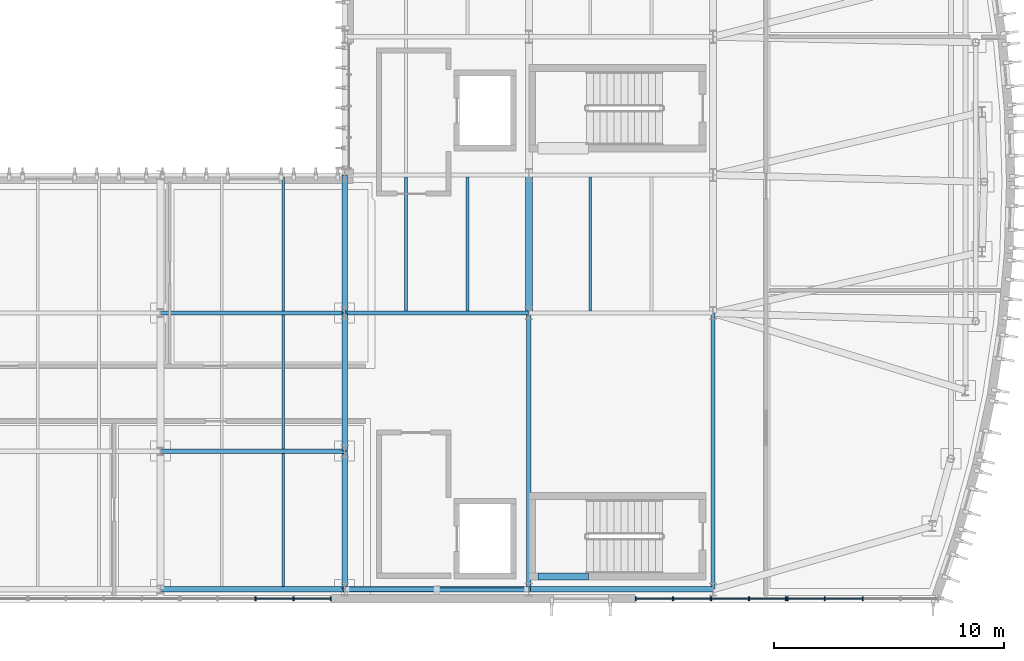
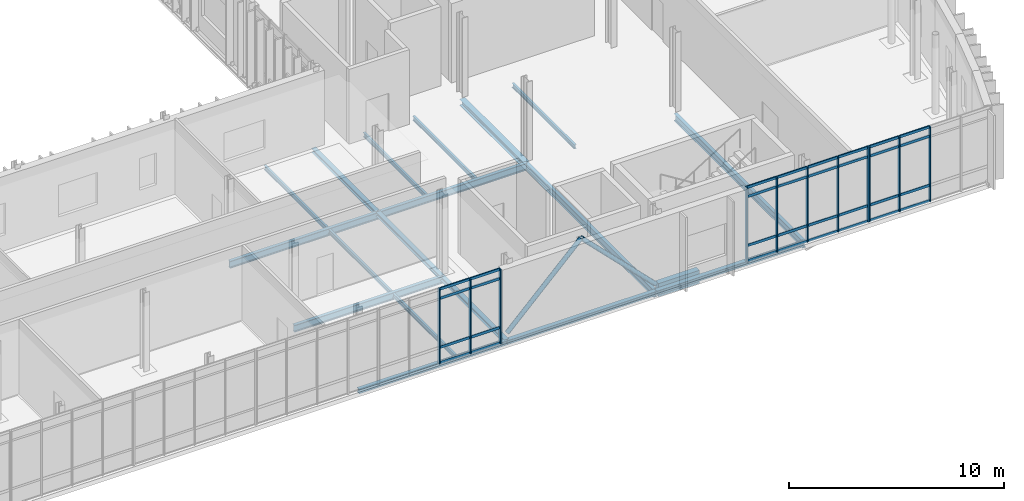
# One storey, part 38 of 86: 45 members, 19 beams, 3 elements without a shape of their own.
"""IFC4 building model written with IfcOpenShell, lengths in metres."""

from ifc_helpers import new_model, si_unit, direction, frame, origin, origin_2d, place, context, subcontext, project, spatial, rectangle, hollow_circle, i_section, extrude, material, material_profile, profile_set, type_object, element, aggregate, save


model = new_model("IFC4")

# Units and contexts
model_context = context("Model", 3, precision=1e-05, world=origin(), true_north=direction((0.0, 1.0)))
body_context = subcontext(model_context, "Body", "Model", "MODEL_VIEW")
ifc_project = project(units=[si_unit("LENGTHUNIT", "METRE"), si_unit("AREAUNIT", "SQUARE_METRE"), si_unit("VOLUMEUNIT", "CUBIC_METRE"), si_unit("PLANEANGLEUNIT", "RADIAN"), si_unit("MASSUNIT", "GRAM", prefix="KILO")], contexts=[model_context])

# Site, building, storey
site_placement = place(None, origin())
site = spatial("IfcSite", under=ifc_project, at=site_placement, CompositionType="ELEMENT")
building_placement = place(site_placement, origin())
building = spatial("IfcBuilding", under=site, at=building_placement, Name="Cymarion Research Institute", CompositionType="ELEMENT")
storey_placement = place(building_placement, frame((0.0, 0.0, 13.800048828125)))
storey = spatial("IfcBuildingStorey", under=building, at=storey_placement, Name="L03", CompositionType="ELEMENT", Elevation=13.800048828125)

# Beam
ifc_material_1 = material(Name="Concrete C40/50", Category="concrete")
ifc_material_profile_1 = material_profile(ifc_material_1, rectangle(XDim=0.300048828125, YDim=0.75, at=origin_2d()), Name="RC 300x750")
ifc_profile_set_1 = profile_set([ifc_material_profile_1], Name="Concrete C40/50")
beam_type_1 = type_object("IfcBeamType", Name="COUPLING LINTEL LN01 RC 300x750", PredefinedType="LINTEL", material=ifc_profile_set_1)
beam_1_placement = place(storey_placement, frame((147.0, 6.050048828125, -0.64501953125), z_axis=(1.0, 0.0, 0.0), x_axis=(0.0, 1.0, 0.0)))
element("IfcBeam", 1, at=beam_1_placement, inside=storey, type_object=beam_type_1, Name="L03 C1 core coupling lintel LN01", PredefinedType="LINTEL", context=body_context, shape_type="SweptSolid", body=[
    extrude(rectangle(XDim=0.300048828125, YDim=0.75, at=origin_2d()), origin(), (0.0, 0.0, 1.0), 2.199951171875),
])

# Curtain wall, members
ifc_material_2 = material(Name="Anodised aluminium unitised curtain wall with Low-E glazing", Category="aluminium")
curtain_wall_type = type_object("IfcCurtainWallType", Name="UNITISED CURTAIN WALL CW26 6590X4240", PredefinedType="NOTDEFINED", material=ifc_material_2)
curtain_wall_1_placement = place(storey_placement, origin())
curtain_wall_1 = element("IfcCurtainWall", 2, at=curtain_wall_1_placement, inside=storey, type_object=curtain_wall_type, Name="L03 V1 unitised curtain wall CW26 #123", PredefinedType="NOTDEFINED")
ifc_material_3 = material(Name="Anodised aluminium framing", Category="aluminium")
ifc_material_profile_2 = material_profile(ifc_material_3, rectangle(XDim=0.06005859375, YDim=0.179931640625, at=origin_2d()), Name="ALU MULLION 60x180")
ifc_profile_set_2 = profile_set([ifc_material_profile_2], Name="Anodised aluminium framing")
member_type_1 = type_object("IfcMemberType", Name="CURTAIN WALL MULLION ML01 60X180", PredefinedType="MULLION", material=ifc_profile_set_2)
member_1_placement = place(storey_placement, frame((134.73095703125, 5.090087890625, 0.0), z_axis=(0.0, 0.0, 1.0), x_axis=(1.0, 0.0, 0.0)))
member_1 = element("IfcMember", 3, at=member_1_placement, type_object=member_type_1, Name="CW26 mullion 3", PredefinedType="MULLION", context=body_context, shape_type="SweptSolid", body=[
    extrude(rectangle(XDim=0.06005859375, YDim=0.179931640625, at=origin_2d()), origin(), (0.0, 0.0, 1.0), 4.239990234375),
])
member_2_placement = place(storey_placement, frame((136.37939453125, 5.090087890625, 0.0), z_axis=(0.0, 0.0, 1.0), x_axis=(1.0, 0.0, 0.0)))
member_2 = element("IfcMember", 4, at=member_2_placement, type_object=member_type_1, Name="CW26 mullion 4", PredefinedType="MULLION", context=body_context, shape_type="SweptSolid", body=[
    extrude(rectangle(XDim=0.06005859375, YDim=0.179931640625, at=origin_2d()), origin(), (0.0, 0.0, 1.0), 4.239990234375),
])
member_3_placement = place(storey_placement, frame((137.99755859375, 5.090087890625, 0.0), z_axis=(0.0, 0.0, 1.0), x_axis=(1.0, 0.0, 0.0)))
member_3 = element("IfcMember", 5, at=member_3_placement, type_object=member_type_1, Name="CW26 mullion 5", PredefinedType="MULLION", context=body_context, shape_type="SweptSolid", body=[
    extrude(rectangle(XDim=0.06005859375, YDim=0.179931640625, at=origin_2d()), origin(), (0.0, 0.0, 1.0), 4.239990234375),
])

curtain_wall_2_placement = place(storey_placement, origin())
curtain_wall_2 = element("IfcCurtainWall", 6, at=curtain_wall_2_placement, inside=storey, type_object=curtain_wall_type, Name="L03 V1 unitised curtain wall CW26 #124", PredefinedType="NOTDEFINED")
member_4_placement = place(storey_placement, frame((151.243896484375, 5.090087890625, 0.0), z_axis=(0.0, 0.0, 1.0), x_axis=(1.0, 0.0, 0.0)))
member_4 = element("IfcMember", 7, at=member_4_placement, type_object=member_type_1, Name="CW26 mullion 1", PredefinedType="MULLION", context=body_context, shape_type="SweptSolid", body=[
    extrude(rectangle(XDim=0.06005859375, YDim=0.179931640625, at=origin_2d()), origin(), (0.0, 0.0, 1.0), 4.239990234375),
])
member_5_placement = place(storey_placement, frame((152.862060546875, 5.090087890625, 0.0), z_axis=(0.0, 0.0, 1.0), x_axis=(1.0, 0.0, 0.0)))
member_5 = element("IfcMember", 8, at=member_5_placement, type_object=member_type_1, Name="CW26 mullion 2", PredefinedType="MULLION", context=body_context, shape_type="SweptSolid", body=[
    extrude(rectangle(XDim=0.06005859375, YDim=0.179931640625, at=origin_2d()), origin(), (0.0, 0.0, 1.0), 4.239990234375),
])
member_6_placement = place(storey_placement, frame((154.51025390625, 5.090087890625, 0.0), z_axis=(0.0, 0.0, 1.0), x_axis=(1.0, 0.0, 0.0)))
member_6 = element("IfcMember", 9, at=member_6_placement, type_object=member_type_1, Name="CW26 mullion 3", PredefinedType="MULLION", context=body_context, shape_type="SweptSolid", body=[
    extrude(rectangle(XDim=0.06005859375, YDim=0.179931640625, at=origin_2d()), origin(), (0.0, 0.0, 1.0), 4.239990234375),
])
member_7_placement = place(storey_placement, frame((156.15869140625, 5.090087890625, 0.0), z_axis=(0.0, 0.0, 1.0), x_axis=(1.0, 0.0, 0.0)))
member_7 = element("IfcMember", 10, at=member_7_placement, type_object=member_type_1, Name="CW26 mullion 4", PredefinedType="MULLION", context=body_context, shape_type="SweptSolid", body=[
    extrude(rectangle(XDim=0.06005859375, YDim=0.179931640625, at=origin_2d()), origin(), (0.0, 0.0, 1.0), 4.239990234375),
])
member_8_placement = place(storey_placement, frame((157.77685546875, 5.090087890625, 0.0), z_axis=(0.0, 0.0, 1.0), x_axis=(1.0, 0.0, 0.0)))
member_8 = element("IfcMember", 11, at=member_8_placement, type_object=member_type_1, Name="CW26 mullion 5", PredefinedType="MULLION", context=body_context, shape_type="SweptSolid", body=[
    extrude(rectangle(XDim=0.06005859375, YDim=0.179931640625, at=origin_2d()), origin(), (0.0, 0.0, 1.0), 4.239990234375),
])

curtain_wall_3_placement = place(storey_placement, origin())
curtain_wall_3 = element("IfcCurtainWall", 12, at=curtain_wall_3_placement, inside=storey, type_object=curtain_wall_type, Name="L03 V1 unitised curtain wall CW26 #125", PredefinedType="NOTDEFINED")
member_9_placement = place(storey_placement, frame((157.8369140625, 5.090087890625, 0.0), z_axis=(0.0, 0.0, 1.0), x_axis=(1.0, 0.0, 0.0)))
member_9 = element("IfcMember", 13, at=member_9_placement, type_object=member_type_1, Name="CW26 mullion 1", PredefinedType="MULLION", context=body_context, shape_type="SweptSolid", body=[
    extrude(rectangle(XDim=0.06005859375, YDim=0.179931640625, at=origin_2d()), origin(), (0.0, 0.0, 1.0), 4.239990234375),
])
member_10_placement = place(storey_placement, frame((159.455078125, 5.090087890625, 0.0), z_axis=(0.0, 0.0, 1.0), x_axis=(1.0, 0.0, 0.0)))
member_10 = element("IfcMember", 14, at=member_10_placement, type_object=member_type_1, Name="CW26 mullion 2", PredefinedType="MULLION", context=body_context, shape_type="SweptSolid", body=[
    extrude(rectangle(XDim=0.06005859375, YDim=0.179931640625, at=origin_2d()), origin(), (0.0, 0.0, 1.0), 4.239990234375),
])
member_11_placement = place(storey_placement, frame((161.103515625, 5.090087890625, 0.0), z_axis=(0.0, 0.0, 1.0), x_axis=(1.0, 0.0, 0.0)))
member_11 = element("IfcMember", 15, at=member_11_placement, type_object=member_type_1, Name="CW26 mullion 3", PredefinedType="MULLION", context=body_context, shape_type="SweptSolid", body=[
    extrude(rectangle(XDim=0.06005859375, YDim=0.179931640625, at=origin_2d()), origin(), (0.0, 0.0, 1.0), 4.239990234375),
])

# Member
ifc_material_profile_3 = material_profile(ifc_material_3, rectangle(XDim=0.06005859375, YDim=0.14990234375, at=origin_2d()), Name="ALU TRANSOM 60x150")
ifc_profile_set_3 = profile_set([ifc_material_profile_3], Name="Anodised aluminium framing")
member_type_2 = type_object("IfcMemberType", Name="CURTAIN WALL TRANSOM TR01 60X150", PredefinedType="USERDEFINED", material=ifc_profile_set_3)
member_12_placement = place(storey_placement, frame((134.760986328125, 5.090087890625, 0.030029296875), z_axis=(1.0, 0.0, 0.0), x_axis=(0.0, 1.0, 0.0)))
member_12 = element("IfcMember", 16, at=member_12_placement, type_object=member_type_2, Name="CW26 transom 3.1", ObjectType="TRANSOM", PredefinedType="USERDEFINED", context=body_context, shape_type="SweptSolid", body=[
    extrude(rectangle(XDim=0.06005859375, YDim=0.14990234375, at=origin_2d()), origin(), (0.0, 0.0, 1.0), 1.58837890625),
])

member_13_placement = place(storey_placement, frame((134.760986328125, 5.090087890625, 0.89990234375), z_axis=(1.0, 0.0, 0.0), x_axis=(0.0, 1.0, 0.0)))
member_13 = element("IfcMember", 17, at=member_13_placement, type_object=member_type_2, Name="CW26 transom 3.2", ObjectType="TRANSOM", PredefinedType="USERDEFINED", context=body_context, shape_type="SweptSolid", body=[
    extrude(rectangle(XDim=0.06005859375, YDim=0.14990234375, at=origin_2d()), origin(), (0.0, 0.0, 1.0), 1.58837890625),
])

member_14_placement = place(storey_placement, frame((134.760986328125, 5.090087890625, 3.68994140625), z_axis=(1.0, 0.0, 0.0), x_axis=(0.0, 1.0, 0.0)))
member_14 = element("IfcMember", 18, at=member_14_placement, type_object=member_type_2, Name="CW26 transom 3.3", ObjectType="TRANSOM", PredefinedType="USERDEFINED", context=body_context, shape_type="SweptSolid", body=[
    extrude(rectangle(XDim=0.06005859375, YDim=0.14990234375, at=origin_2d()), origin(), (0.0, 0.0, 1.0), 1.58837890625),
])

member_15_placement = place(storey_placement, frame((134.760986328125, 5.090087890625, 4.2099609375), z_axis=(1.0, 0.0, 0.0), x_axis=(0.0, 1.0, 0.0)))
member_15 = element("IfcMember", 19, at=member_15_placement, type_object=member_type_2, Name="CW26 transom 3.4", ObjectType="TRANSOM", PredefinedType="USERDEFINED", context=body_context, shape_type="SweptSolid", body=[
    extrude(rectangle(XDim=0.06005859375, YDim=0.14990234375, at=origin_2d()), origin(), (0.0, 0.0, 1.0), 1.58837890625),
])

member_16_placement = place(storey_placement, frame((136.4091796875, 5.090087890625, 0.030029296875), z_axis=(1.0, 0.0, 0.0), x_axis=(0.0, 1.0, 0.0)))
member_16 = element("IfcMember", 20, at=member_16_placement, type_object=member_type_2, Name="CW26 transom 4.1", ObjectType="TRANSOM", PredefinedType="USERDEFINED", context=body_context, shape_type="SweptSolid", body=[
    extrude(rectangle(XDim=0.06005859375, YDim=0.14990234375, at=origin_2d()), origin(), (0.0, 0.0, 1.0), 1.558349609375),
])

member_17_placement = place(storey_placement, frame((136.4091796875, 5.090087890625, 0.89990234375), z_axis=(1.0, 0.0, 0.0), x_axis=(0.0, 1.0, 0.0)))
member_17 = element("IfcMember", 21, at=member_17_placement, type_object=member_type_2, Name="CW26 transom 4.2", ObjectType="TRANSOM", PredefinedType="USERDEFINED", context=body_context, shape_type="SweptSolid", body=[
    extrude(rectangle(XDim=0.06005859375, YDim=0.14990234375, at=origin_2d()), origin(), (0.0, 0.0, 1.0), 1.558349609375),
])

member_18_placement = place(storey_placement, frame((136.4091796875, 5.090087890625, 3.68994140625), z_axis=(1.0, 0.0, 0.0), x_axis=(0.0, 1.0, 0.0)))
member_18 = element("IfcMember", 22, at=member_18_placement, type_object=member_type_2, Name="CW26 transom 4.3", ObjectType="TRANSOM", PredefinedType="USERDEFINED", context=body_context, shape_type="SweptSolid", body=[
    extrude(rectangle(XDim=0.06005859375, YDim=0.14990234375, at=origin_2d()), origin(), (0.0, 0.0, 1.0), 1.558349609375),
])

member_19_placement = place(storey_placement, frame((136.4091796875, 5.090087890625, 4.2099609375), z_axis=(1.0, 0.0, 0.0), x_axis=(0.0, 1.0, 0.0)))
member_19 = element("IfcMember", 23, at=member_19_placement, type_object=member_type_2, Name="CW26 transom 4.4", ObjectType="TRANSOM", PredefinedType="USERDEFINED", context=body_context, shape_type="SweptSolid", body=[
    extrude(rectangle(XDim=0.06005859375, YDim=0.14990234375, at=origin_2d()), origin(), (0.0, 0.0, 1.0), 1.558349609375),
])

aggregate(curtain_wall_1, [member_1, member_2, member_3, member_12, member_13, member_14, member_15, member_16, member_17, member_18, member_19])

member_20_placement = place(storey_placement, frame((151.273681640625, 5.090087890625, 0.030029296875), z_axis=(1.0, 0.0, 0.0), x_axis=(0.0, 1.0, 0.0)))
member_20 = element("IfcMember", 24, at=member_20_placement, type_object=member_type_2, Name="CW26 transom 1.1", ObjectType="TRANSOM", PredefinedType="USERDEFINED", context=body_context, shape_type="SweptSolid", body=[
    extrude(rectangle(XDim=0.06005859375, YDim=0.14990234375, at=origin_2d()), origin(), (0.0, 0.0, 1.0), 1.558349609375),
])

member_21_placement = place(storey_placement, frame((151.273681640625, 5.090087890625, 0.89990234375), z_axis=(1.0, 0.0, 0.0), x_axis=(0.0, 1.0, 0.0)))
member_21 = element("IfcMember", 25, at=member_21_placement, type_object=member_type_2, Name="CW26 transom 1.2", ObjectType="TRANSOM", PredefinedType="USERDEFINED", context=body_context, shape_type="SweptSolid", body=[
    extrude(rectangle(XDim=0.06005859375, YDim=0.14990234375, at=origin_2d()), origin(), (0.0, 0.0, 1.0), 1.558349609375),
])

member_22_placement = place(storey_placement, frame((151.273681640625, 5.090087890625, 3.68994140625), z_axis=(1.0, 0.0, 0.0), x_axis=(0.0, 1.0, 0.0)))
member_22 = element("IfcMember", 26, at=member_22_placement, type_object=member_type_2, Name="CW26 transom 1.3", ObjectType="TRANSOM", PredefinedType="USERDEFINED", context=body_context, shape_type="SweptSolid", body=[
    extrude(rectangle(XDim=0.06005859375, YDim=0.14990234375, at=origin_2d()), origin(), (0.0, 0.0, 1.0), 1.558349609375),
])

member_23_placement = place(storey_placement, frame((151.273681640625, 5.090087890625, 4.2099609375), z_axis=(1.0, 0.0, 0.0), x_axis=(0.0, 1.0, 0.0)))
member_23 = element("IfcMember", 27, at=member_23_placement, type_object=member_type_2, Name="CW26 transom 1.4", ObjectType="TRANSOM", PredefinedType="USERDEFINED", context=body_context, shape_type="SweptSolid", body=[
    extrude(rectangle(XDim=0.06005859375, YDim=0.14990234375, at=origin_2d()), origin(), (0.0, 0.0, 1.0), 1.558349609375),
])

member_24_placement = place(storey_placement, frame((152.89208984375, 5.090087890625, 0.030029296875), z_axis=(1.0, 0.0, 0.0), x_axis=(0.0, 1.0, 0.0)))
member_24 = element("IfcMember", 28, at=member_24_placement, type_object=member_type_2, Name="CW26 transom 2.1", ObjectType="TRANSOM", PredefinedType="USERDEFINED", context=body_context, shape_type="SweptSolid", body=[
    extrude(rectangle(XDim=0.06005859375, YDim=0.14990234375, at=origin_2d()), origin(), (0.0, 0.0, 1.0), 1.58837890625),
])

member_25_placement = place(storey_placement, frame((152.89208984375, 5.090087890625, 0.89990234375), z_axis=(1.0, 0.0, 0.0), x_axis=(0.0, 1.0, 0.0)))
member_25 = element("IfcMember", 29, at=member_25_placement, type_object=member_type_2, Name="CW26 transom 2.2", ObjectType="TRANSOM", PredefinedType="USERDEFINED", context=body_context, shape_type="SweptSolid", body=[
    extrude(rectangle(XDim=0.06005859375, YDim=0.14990234375, at=origin_2d()), origin(), (0.0, 0.0, 1.0), 1.58837890625),
])

member_26_placement = place(storey_placement, frame((152.89208984375, 5.090087890625, 3.68994140625), z_axis=(1.0, 0.0, 0.0), x_axis=(0.0, 1.0, 0.0)))
member_26 = element("IfcMember", 30, at=member_26_placement, type_object=member_type_2, Name="CW26 transom 2.3", ObjectType="TRANSOM", PredefinedType="USERDEFINED", context=body_context, shape_type="SweptSolid", body=[
    extrude(rectangle(XDim=0.06005859375, YDim=0.14990234375, at=origin_2d()), origin(), (0.0, 0.0, 1.0), 1.58837890625),
])

member_27_placement = place(storey_placement, frame((152.89208984375, 5.090087890625, 4.2099609375), z_axis=(1.0, 0.0, 0.0), x_axis=(0.0, 1.0, 0.0)))
member_27 = element("IfcMember", 31, at=member_27_placement, type_object=member_type_2, Name="CW26 transom 2.4", ObjectType="TRANSOM", PredefinedType="USERDEFINED", context=body_context, shape_type="SweptSolid", body=[
    extrude(rectangle(XDim=0.06005859375, YDim=0.14990234375, at=origin_2d()), origin(), (0.0, 0.0, 1.0), 1.58837890625),
])

member_28_placement = place(storey_placement, frame((154.540283203125, 5.090087890625, 0.030029296875), z_axis=(1.0, 0.0, 0.0), x_axis=(0.0, 1.0, 0.0)))
member_28 = element("IfcMember", 32, at=member_28_placement, type_object=member_type_2, Name="CW26 transom 3.1", ObjectType="TRANSOM", PredefinedType="USERDEFINED", context=body_context, shape_type="SweptSolid", body=[
    extrude(rectangle(XDim=0.06005859375, YDim=0.14990234375, at=origin_2d()), origin(), (0.0, 0.0, 1.0), 1.58837890625),
])

member_29_placement = place(storey_placement, frame((154.540283203125, 5.090087890625, 0.89990234375), z_axis=(1.0, 0.0, 0.0), x_axis=(0.0, 1.0, 0.0)))
member_29 = element("IfcMember", 33, at=member_29_placement, type_object=member_type_2, Name="CW26 transom 3.2", ObjectType="TRANSOM", PredefinedType="USERDEFINED", context=body_context, shape_type="SweptSolid", body=[
    extrude(rectangle(XDim=0.06005859375, YDim=0.14990234375, at=origin_2d()), origin(), (0.0, 0.0, 1.0), 1.58837890625),
])

member_30_placement = place(storey_placement, frame((154.540283203125, 5.090087890625, 3.68994140625), z_axis=(1.0, 0.0, 0.0), x_axis=(0.0, 1.0, 0.0)))
member_30 = element("IfcMember", 34, at=member_30_placement, type_object=member_type_2, Name="CW26 transom 3.3", ObjectType="TRANSOM", PredefinedType="USERDEFINED", context=body_context, shape_type="SweptSolid", body=[
    extrude(rectangle(XDim=0.06005859375, YDim=0.14990234375, at=origin_2d()), origin(), (0.0, 0.0, 1.0), 1.58837890625),
])

member_31_placement = place(storey_placement, frame((154.540283203125, 5.090087890625, 4.2099609375), z_axis=(1.0, 0.0, 0.0), x_axis=(0.0, 1.0, 0.0)))
member_31 = element("IfcMember", 35, at=member_31_placement, type_object=member_type_2, Name="CW26 transom 3.4", ObjectType="TRANSOM", PredefinedType="USERDEFINED", context=body_context, shape_type="SweptSolid", body=[
    extrude(rectangle(XDim=0.06005859375, YDim=0.14990234375, at=origin_2d()), origin(), (0.0, 0.0, 1.0), 1.58837890625),
])

member_32_placement = place(storey_placement, frame((156.188720703125, 5.090087890625, 0.030029296875), z_axis=(1.0, 0.0, 0.0), x_axis=(0.0, 1.0, 0.0)))
member_32 = element("IfcMember", 36, at=member_32_placement, type_object=member_type_2, Name="CW26 transom 4.1", ObjectType="TRANSOM", PredefinedType="USERDEFINED", context=body_context, shape_type="SweptSolid", body=[
    extrude(rectangle(XDim=0.06005859375, YDim=0.14990234375, at=origin_2d()), origin(), (0.0, 0.0, 1.0), 1.55810546875),
])

member_33_placement = place(storey_placement, frame((156.188720703125, 5.090087890625, 0.89990234375), z_axis=(1.0, 0.0, 0.0), x_axis=(0.0, 1.0, 0.0)))
member_33 = element("IfcMember", 37, at=member_33_placement, type_object=member_type_2, Name="CW26 transom 4.2", ObjectType="TRANSOM", PredefinedType="USERDEFINED", context=body_context, shape_type="SweptSolid", body=[
    extrude(rectangle(XDim=0.06005859375, YDim=0.14990234375, at=origin_2d()), origin(), (0.0, 0.0, 1.0), 1.55810546875),
])

member_34_placement = place(storey_placement, frame((156.188720703125, 5.090087890625, 3.68994140625), z_axis=(1.0, 0.0, 0.0), x_axis=(0.0, 1.0, 0.0)))
member_34 = element("IfcMember", 38, at=member_34_placement, type_object=member_type_2, Name="CW26 transom 4.3", ObjectType="TRANSOM", PredefinedType="USERDEFINED", context=body_context, shape_type="SweptSolid", body=[
    extrude(rectangle(XDim=0.06005859375, YDim=0.14990234375, at=origin_2d()), origin(), (0.0, 0.0, 1.0), 1.55810546875),
])

member_35_placement = place(storey_placement, frame((156.188720703125, 5.090087890625, 4.2099609375), z_axis=(1.0, 0.0, 0.0), x_axis=(0.0, 1.0, 0.0)))
member_35 = element("IfcMember", 39, at=member_35_placement, type_object=member_type_2, Name="CW26 transom 4.4", ObjectType="TRANSOM", PredefinedType="USERDEFINED", context=body_context, shape_type="SweptSolid", body=[
    extrude(rectangle(XDim=0.06005859375, YDim=0.14990234375, at=origin_2d()), origin(), (0.0, 0.0, 1.0), 1.55810546875),
])

aggregate(curtain_wall_2, [member_4, member_5, member_6, member_7, member_8, member_20, member_21, member_22, member_23, member_24, member_25, member_26, member_27, member_28, member_29, member_30, member_31, member_32, member_33, member_34, member_35])

member_36_placement = place(storey_placement, frame((157.866943359375, 5.090087890625, 0.030029296875), z_axis=(1.0, 0.0, 0.0), x_axis=(0.0, 1.0, 0.0)))
member_36 = element("IfcMember", 40, at=member_36_placement, type_object=member_type_2, Name="CW26 transom 1.1", ObjectType="TRANSOM", PredefinedType="USERDEFINED", context=body_context, shape_type="SweptSolid", body=[
    extrude(rectangle(XDim=0.06005859375, YDim=0.14990234375, at=origin_2d()), origin(), (0.0, 0.0, 1.0), 1.558349609375),
])

member_37_placement = place(storey_placement, frame((157.866943359375, 5.090087890625, 0.89990234375), z_axis=(1.0, 0.0, 0.0), x_axis=(0.0, 1.0, 0.0)))
member_37 = element("IfcMember", 41, at=member_37_placement, type_object=member_type_2, Name="CW26 transom 1.2", ObjectType="TRANSOM", PredefinedType="USERDEFINED", context=body_context, shape_type="SweptSolid", body=[
    extrude(rectangle(XDim=0.06005859375, YDim=0.14990234375, at=origin_2d()), origin(), (0.0, 0.0, 1.0), 1.558349609375),
])

member_38_placement = place(storey_placement, frame((157.866943359375, 5.090087890625, 3.68994140625), z_axis=(1.0, 0.0, 0.0), x_axis=(0.0, 1.0, 0.0)))
member_38 = element("IfcMember", 42, at=member_38_placement, type_object=member_type_2, Name="CW26 transom 1.3", ObjectType="TRANSOM", PredefinedType="USERDEFINED", context=body_context, shape_type="SweptSolid", body=[
    extrude(rectangle(XDim=0.06005859375, YDim=0.14990234375, at=origin_2d()), origin(), (0.0, 0.0, 1.0), 1.558349609375),
])

member_39_placement = place(storey_placement, frame((157.866943359375, 5.090087890625, 4.2099609375), z_axis=(1.0, 0.0, 0.0), x_axis=(0.0, 1.0, 0.0)))
member_39 = element("IfcMember", 43, at=member_39_placement, type_object=member_type_2, Name="CW26 transom 1.4", ObjectType="TRANSOM", PredefinedType="USERDEFINED", context=body_context, shape_type="SweptSolid", body=[
    extrude(rectangle(XDim=0.06005859375, YDim=0.14990234375, at=origin_2d()), origin(), (0.0, 0.0, 1.0), 1.558349609375),
])

member_40_placement = place(storey_placement, frame((159.485107421875, 5.090087890625, 0.030029296875), z_axis=(1.0, 0.0, 0.0), x_axis=(0.0, 1.0, 0.0)))
member_40 = element("IfcMember", 44, at=member_40_placement, type_object=member_type_2, Name="CW26 transom 2.1", ObjectType="TRANSOM", PredefinedType="USERDEFINED", context=body_context, shape_type="SweptSolid", body=[
    extrude(rectangle(XDim=0.06005859375, YDim=0.14990234375, at=origin_2d()), origin(), (0.0, 0.0, 1.0), 1.58837890625),
])

member_41_placement = place(storey_placement, frame((159.485107421875, 5.090087890625, 0.89990234375), z_axis=(1.0, 0.0, 0.0), x_axis=(0.0, 1.0, 0.0)))
member_41 = element("IfcMember", 45, at=member_41_placement, type_object=member_type_2, Name="CW26 transom 2.2", ObjectType="TRANSOM", PredefinedType="USERDEFINED", context=body_context, shape_type="SweptSolid", body=[
    extrude(rectangle(XDim=0.06005859375, YDim=0.14990234375, at=origin_2d()), origin(), (0.0, 0.0, 1.0), 1.58837890625),
])

member_42_placement = place(storey_placement, frame((159.485107421875, 5.090087890625, 3.68994140625), z_axis=(1.0, 0.0, 0.0), x_axis=(0.0, 1.0, 0.0)))
member_42 = element("IfcMember", 46, at=member_42_placement, type_object=member_type_2, Name="CW26 transom 2.3", ObjectType="TRANSOM", PredefinedType="USERDEFINED", context=body_context, shape_type="SweptSolid", body=[
    extrude(rectangle(XDim=0.06005859375, YDim=0.14990234375, at=origin_2d()), origin(), (0.0, 0.0, 1.0), 1.58837890625),
])

member_43_placement = place(storey_placement, frame((159.485107421875, 5.090087890625, 4.2099609375), z_axis=(1.0, 0.0, 0.0), x_axis=(0.0, 1.0, 0.0)))
member_43 = element("IfcMember", 47, at=member_43_placement, type_object=member_type_2, Name="CW26 transom 2.4", ObjectType="TRANSOM", PredefinedType="USERDEFINED", context=body_context, shape_type="SweptSolid", body=[
    extrude(rectangle(XDim=0.06005859375, YDim=0.14990234375, at=origin_2d()), origin(), (0.0, 0.0, 1.0), 1.58837890625),
])

aggregate(curtain_wall_3, [member_9, member_10, member_11, member_36, member_37, member_38, member_39, member_40, member_41, member_42, member_43])

# Beams
ifc_material_4 = material(Name="Steel S355", Category="steel")
ifc_material_profile_4 = material_profile(ifc_material_4, i_section(OverallWidth=0.179931640625, OverallDepth=0.39990234375, WebThickness=0.008544921875, FlangeThickness=0.013427734375, FilletRadius=0.02099609375, at=origin_2d()), Name="IPE 400")
ifc_profile_set_4 = profile_set([ifc_material_profile_4], Name="Steel S355")
beam_type_2 = type_object("IfcBeamType", Name="PRIMARY GIRDER BM05 IPE 400", PredefinedType="BEAM", material=ifc_profile_set_4)
for number, where, z_axis, x_axis, name in (
    (48, (130.60595703125, 11.5, -0.449951171875), (1.0, 0.0, 0.0), (0.0, 1.0, 0.0), "L03 V1 girder BM05 #1177"),
    (49, (130.60595703125, 17.5, -0.449951171875), (1.0, 0.0, 0.0), (0.0, 1.0, 0.0), "L03 V1 girder BM05 #1181"),
    (50, (138.60595703125, 17.5, -0.449951171875), (1.0, 0.0, 0.0), (0.0, 1.0, 0.0), "L03 V1 girder BM05 #1182"),
):
    element("IfcBeam", number, at=place(storey_placement, frame(where, z_axis=z_axis, x_axis=x_axis)), inside=storey, type_object=beam_type_2, Name=name, PredefinedType="BEAM", context=body_context, shape_type="SweptSolid", body=[
        extrude(i_section(OverallWidth=0.179931640625, OverallDepth=0.39990234375, WebThickness=0.008544921875, FlangeThickness=0.013427734375, FilletRadius=0.02099609375, at=origin_2d()), origin(), (0.0, 0.0, 1.0), 7.988037109375),
    ])
for number, where, z_axis, x_axis, name in (
    (51, (146.60009765625, 5.506103515625, -0.449951171875), (0.0, 1.0, 0.0), (-1.0, 0.0, 0.0), "L03 V1 girder BM05 #1214"),
    (52, (154.60009765625, 5.506103515625, -0.449951171875), (0.0, 1.0, 0.0), (-1.0, 0.0, 0.0), "L03 V1 girder BM05 #1219"),
):
    element("IfcBeam", number, at=place(storey_placement, frame(where, z_axis=z_axis, x_axis=x_axis)), inside=storey, type_object=beam_type_2, Name=name, PredefinedType="BEAM", context=body_context, shape_type="SweptSolid", body=[
        extrude(i_section(OverallWidth=0.179931640625, OverallDepth=0.39990234375, WebThickness=0.008544921875, FlangeThickness=0.013427734375, FilletRadius=0.02099609375, at=origin_2d()), origin(), (0.0, 0.0, 1.0), 11.98779296875),
    ])
ifc_material_profile_5 = material_profile(ifc_material_4, i_section(OverallWidth=0.300048828125, OverallDepth=0.35009765625, WebThickness=0.010009765625, FlangeThickness=0.017578125, FilletRadius=0.027099609375, at=origin_2d()), Name="HEA 360")
ifc_profile_set_5 = profile_set([ifc_material_profile_5], Name="Steel S355")
beam_type_3 = type_object("IfcBeamType", Name="PRIMARY GIRDER BM12 HEA 360", PredefinedType="BEAM", material=ifc_profile_set_5)
beam_2_placement = place(storey_placement, frame((146.60009765625, 17.506103515625, -0.425048828125), z_axis=(0.0, 1.0, 0.0), x_axis=(-1.0, 0.0, 0.0)))
element("IfcBeam", 53, at=beam_2_placement, inside=storey, type_object=beam_type_3, Name="L03 V1 girder BM12 #1215", PredefinedType="BEAM", context=body_context, shape_type="SweptSolid", body=[
    extrude(i_section(OverallWidth=0.300048828125, OverallDepth=0.35009765625, WebThickness=0.010009765625, FlangeThickness=0.017578125, FilletRadius=0.027099609375, at=origin_2d()), origin(), (0.0, 0.0, 1.0), 5.98779296875),
])
ifc_material_profile_6 = material_profile(ifc_material_4, i_section(OverallWidth=0.1201171875, OverallDepth=0.239990234375, WebThickness=0.006103515625, FlangeThickness=0.009765625, FilletRadius=0.014892578125, at=origin_2d()), Name="IPE 240")
ifc_profile_set_6 = profile_set([ifc_material_profile_6], Name="Steel S355")
beam_type_4 = type_object("IfcBeamType", Name="SECONDARY JOIST JS04 IPE 240", PredefinedType="JOIST", material=ifc_profile_set_6)
beam_3_placement = place(storey_placement, frame((135.933349609375, 5.6240234375, -0.3701171875), z_axis=(0.0, 1.0, 0.0), x_axis=(-1.0, 0.0, 0.0)))
element("IfcBeam", 54, at=beam_3_placement, inside=storey, type_object=beam_type_4, Name="L03 V1 secondary joist JS04 #1248", PredefinedType="JOIST", context=body_context, shape_type="SweptSolid", body=[
    extrude(i_section(OverallWidth=0.1201171875, OverallDepth=0.239990234375, WebThickness=0.006103515625, FlangeThickness=0.009765625, FilletRadius=0.014892578125, at=origin_2d()), origin(), (0.0, 0.0, 1.0), 5.781982421875),
])
for number, where, z_axis, x_axis, name in (
    (55, (135.933349609375, 11.593994140625, -0.3701171875), (0.0, 1.0, 0.0), (-1.0, 0.0, 0.0), "L03 V1 secondary joist JS04 #1256"),
    (56, (135.933349609375, 17.593994140625, -0.3701171875), (0.0, 1.0, 0.0), (-1.0, 0.0, 0.0), "L03 V1 secondary joist JS04 #1264"),
    (57, (141.2666015625, 17.593994140625, -0.3701171875), (0.0, 1.0, 0.0), (-1.0, 0.0, 0.0), "L03 V1 secondary joist JS04 #1265"),
    (58, (143.933349609375, 17.593994140625, -0.3701171875), (0.0, 1.0, 0.0), (-1.0, 0.0, 0.0), "L03 V1 secondary joist JS04 #1266"),
    (59, (149.2666015625, 17.593994140625, -0.3701171875), (0.0, 1.0, 0.0), (-1.0, 0.0, 0.0), "L03 V1 secondary joist JS04 #1267"),
):
    element("IfcBeam", number, at=place(storey_placement, frame(where, z_axis=z_axis, x_axis=x_axis)), inside=storey, type_object=beam_type_4, Name=name, PredefinedType="JOIST", context=body_context, shape_type="SweptSolid", body=[
        extrude(i_section(OverallWidth=0.1201171875, OverallDepth=0.239990234375, WebThickness=0.006103515625, FlangeThickness=0.009765625, FilletRadius=0.014892578125, at=origin_2d()), origin(), (0.0, 0.0, 1.0), 5.81201171875),
    ])
ifc_material_profile_7 = material_profile(ifc_material_4, i_section(OverallWidth=0.239990234375, OverallDepth=0.22998046875, WebThickness=0.007568359375, FlangeThickness=0.011962890625, FilletRadius=0.02099609375, at=origin_2d()), Name="HEA 240")
ifc_profile_set_7 = profile_set([ifc_material_profile_7], Name="Steel S355")
beam_type_5 = type_object("IfcBeamType", Name="SPANDREL BEAM SPB03 HEA 240", PredefinedType="SPANDREL", material=ifc_profile_set_7)
for number, where, z_axis, x_axis, name in (
    (60, (130.60595703125, 5.5, -0.364990234375), (1.0, 0.0, 0.0), (0.0, 1.0, 0.0), "L03 V1 girder SPB03 #1171"),
    (61, (138.60595703125, 5.5, -0.364990234375), (1.0, 0.0, 0.0), (0.0, 1.0, 0.0), "L03 V1 girder SPB03 #1172"),
    (62, (146.60595703125, 5.5, -0.364990234375), (1.0, 0.0, 0.0), (0.0, 1.0, 0.0), "L03 V1 girder SPB03 #1173"),
):
    element("IfcBeam", number, at=place(storey_placement, frame(where, z_axis=z_axis, x_axis=x_axis)), inside=storey, type_object=beam_type_5, Name=name, PredefinedType="SPANDREL", context=body_context, shape_type="SweptSolid", body=[
        extrude(i_section(OverallWidth=0.239990234375, OverallDepth=0.22998046875, WebThickness=0.007568359375, FlangeThickness=0.011962890625, FilletRadius=0.02099609375, at=origin_2d()), origin(), (0.0, 0.0, 1.0), 7.988037109375),
    ])
for number, where, z_axis, x_axis, name in (
    (63, (138.60009765625, 5.506103515625, -0.364990234375), (0.0, 1.0, 0.0), (-1.0, 0.0, 0.0), "L03 V1 girder SPB03 #1208"),
    (64, (138.60009765625, 11.506103515625, -0.364990234375), (0.0, 1.0, 0.0), (-1.0, 0.0, 0.0), "L03 V1 girder SPB03 #1209"),
    (65, (138.60009765625, 17.506103515625, -0.364990234375), (0.0, 1.0, 0.0), (-1.0, 0.0, 0.0), "L03 V1 girder SPB03 #1210"),
):
    element("IfcBeam", number, at=place(storey_placement, frame(where, z_axis=z_axis, x_axis=x_axis)), inside=storey, type_object=beam_type_5, Name=name, PredefinedType="SPANDREL", context=body_context, shape_type="SweptSolid", body=[
        extrude(i_section(OverallWidth=0.239990234375, OverallDepth=0.22998046875, WebThickness=0.007568359375, FlangeThickness=0.011962890625, FilletRadius=0.02099609375, at=origin_2d()), origin(), (0.0, 0.0, 1.0), 5.98779296875),
    ])

# Members
ifc_material_profile_8 = material_profile(ifc_material_4, hollow_circle(Radius=0.122314453125, WallThickness=0.012451171875, at=origin_2d()), Name="CHS 244.5x12.5")
ifc_profile_set_8 = profile_set([ifc_material_profile_8], Name="Steel S355")
member_type_3 = type_object("IfcMemberType", Name="STRUCTURAL MEMBER BR03 CHS 244.5x12.5", PredefinedType="BRACE", material=ifc_profile_set_8)
member_44_placement = place(storey_placement, frame((138.6142578125, 5.5, 0.119873046875), z_axis=(0.70610954467, 0.0, 0.708102613275), x_axis=(0.0, 1.0, 0.0)))
element("IfcMember", 66, at=member_44_placement, inside=storey, type_object=member_type_3, Name="L03 V1 seismic chevron brace BR03 #1", PredefinedType="BRACE", context=body_context, shape_type="SweptSolid", body=[
    extrude(hollow_circle(Radius=0.122314453125, WallThickness=0.012451171875, at=origin_2d()), origin(), (0.0, 0.0, 1.0), 5.634765625),
])
member_45_placement = place(storey_placement, frame((146.585693359375, 5.5, 0.119873046875), z_axis=(-0.706087818821, 0.0, 0.708124277307), x_axis=(0.0, -1.0, 0.0)))
element("IfcMember", 67, at=member_45_placement, inside=storey, type_object=member_type_3, Name="L03 V1 seismic chevron brace BR03 #2", PredefinedType="BRACE", context=body_context, shape_type="SweptSolid", body=[
    extrude(hollow_circle(Radius=0.122314453125, WallThickness=0.012451171875, at=origin_2d()), origin(), (0.0, 0.0, 1.0), 5.634521484375),
])

save(model, "model.ifc")
